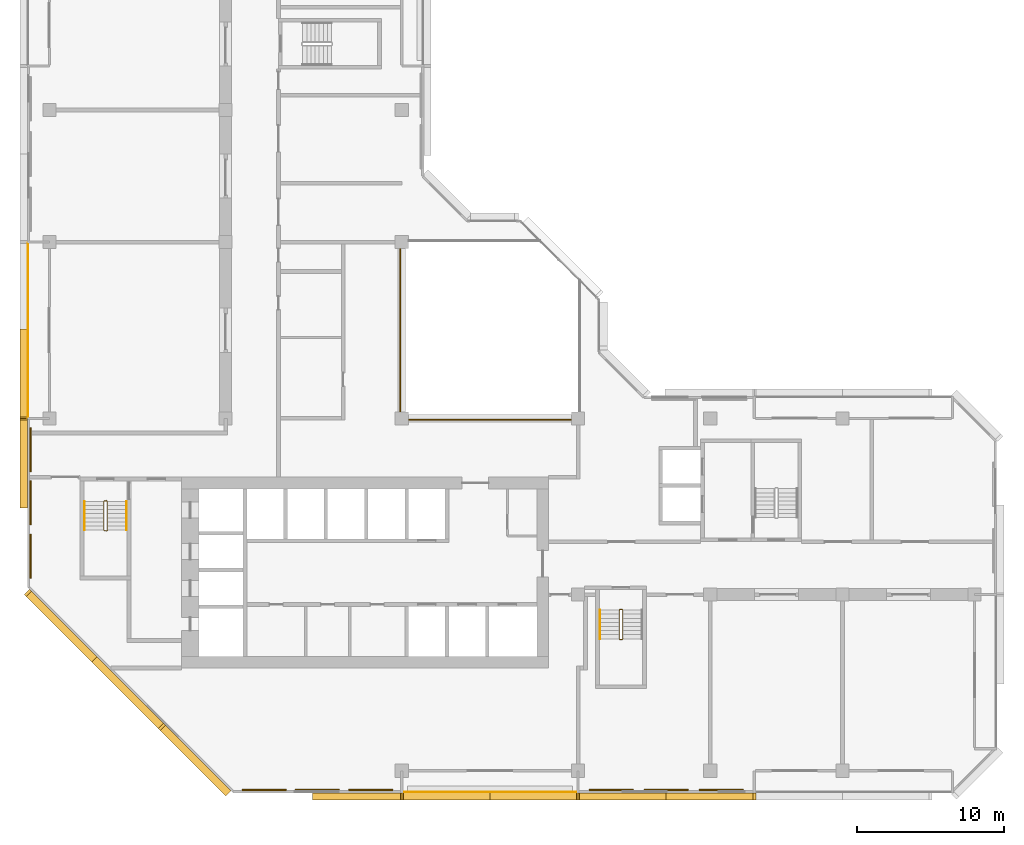
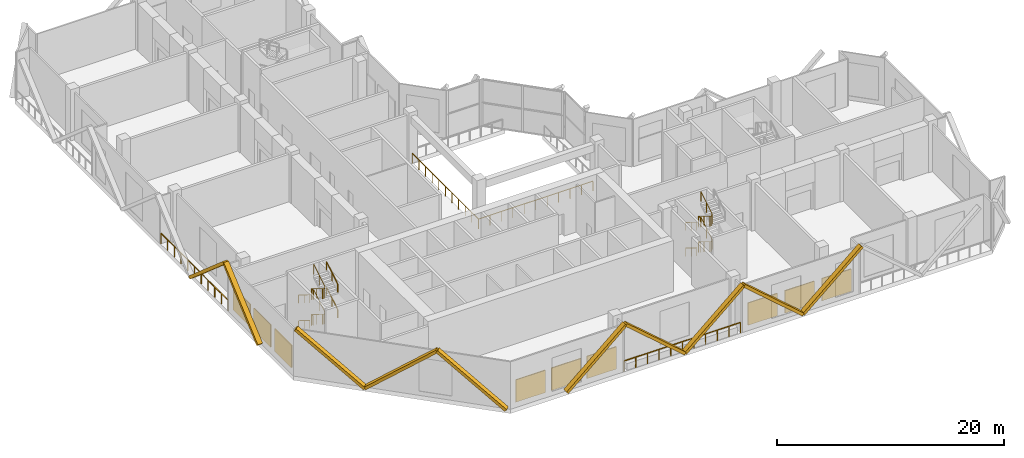
# One storey, part 9 of 11: 11 railings, 10 coverings, 9 shading devices.
"""IFC4 building model written with IfcOpenShell, lengths in metres."""

import ifcopenshell
import ifcopenshell.guid

model = None  # the IFC model being written
_history = None  # IfcOwnerHistory: only IFC2X3 demands one
_inside = {}  # id of a spatial element -> (the spatial element, [elements in it])
_under = {}  # id of a project, library or spatial element -> (it, [spatial elements below it])
_declared = {}  # id of a project -> (the project, [libraries it declares])
_typed = {}  # id of a type object -> (the type object, [elements of that type])
_made_of = {}  # id of a material, layer set ... -> (it, [elements and type objects made of it])


def new_model(schema):
    """Start an empty IFC model of exactly this schema.

    Asked for "IFC4X3", IfcOpenShell would pick the latest addendum, in which some entities
    have other attributes; the version numbers below select the first issue.
    IFC2X3 requires an IfcOwnerHistory on every rooted entity: one is made here for all.
    """
    global model, _history
    if schema == "IFC4X3":
        model = ifcopenshell.file(schema_version=(4, 3, 0, 0))
    else:
        model = ifcopenshell.file(schema=schema)
    _inside.clear()
    _under.clear()
    _declared.clear()
    _typed.clear()
    _made_of.clear()
    _history = None
    if model.schema == "IFC2X3":
        org = make("IfcOrganization", Name="unknown")
        user = make(
            "IfcPersonAndOrganization",
            ThePerson=make("IfcPerson", FamilyName="unknown"),
            TheOrganization=org,
        )
        app = make(
            "IfcApplication",
            ApplicationDeveloper=org,
            Version="unknown",
            ApplicationFullName="unknown",
            ApplicationIdentifier="unknown",
        )
        _history = make(
            "IfcOwnerHistory",
            OwningUser=user,
            OwningApplication=app,
            ChangeAction="ADDED",
            CreationDate=0,
        )
    return model


def make(cls, **values):
    """One entity of the class cls with the attributes given. An attribute that is None is left unset."""
    return model.create_entity(
        cls, **{name: value for name, value in values.items() if value is not None}
    )


def rooted(cls, **values):
    """An entity with a GlobalId (a new one), such as an element, a storey or a relation."""
    return make(cls, GlobalId=ifcopenshell.guid.new(), OwnerHistory=_history, **values)


def si_unit(unit_type, name, prefix=None):
    """IfcSIUnit, for example si_unit("LENGTHUNIT", "METRE", prefix="MILLI")."""
    return make("IfcSIUnit", UnitType=unit_type, Prefix=prefix, Name=name)


def assignment(units):
    """IfcUnitAssignment: the units of a project."""
    return None if units is None else make("IfcUnitAssignment", Units=units)


def point(xyz):
    """IfcCartesianPoint."""
    return None if xyz is None else make("IfcCartesianPoint", Coordinates=xyz)


def direction(xyz):
    """IfcDirection."""
    return None if xyz is None else make("IfcDirection", DirectionRatios=xyz)


def frame(location, z_axis=None, x_axis=None):
    """IfcAxis2Placement3D, a coordinate frame: its origin and axes. An axis left out is left unset."""
    return make(
        "IfcAxis2Placement3D",
        Location=point(location),
        Axis=direction(z_axis),
        RefDirection=direction(x_axis),
    )


def frame_2d(location, x_axis=None):
    """IfcAxis2Placement2D, a coordinate frame in the plane: its origin and x axis."""
    return make(
        "IfcAxis2Placement2D", Location=point(location), RefDirection=direction(x_axis)
    )


def origin():
    """The frame at (0, 0, 0) with its axes left unset."""
    return frame((0.0, 0.0, 0.0))


def origin_2d():
    """The frame at (0, 0) in the plane with its x axis left unset."""
    return frame_2d((0.0, 0.0))


def place(relative_to, where):
    """IfcLocalPlacement: puts the frame where relative to a parent placement (None: the world)."""
    return make(
        "IfcLocalPlacement", PlacementRelTo=relative_to, RelativePlacement=where
    )


def context(
    kind, dimensions, precision=None, world=None, true_north=None, identifier=None
):
    """IfcGeometricRepresentationContext, for example the 3D "Model" context."""
    return make(
        "IfcGeometricRepresentationContext",
        ContextIdentifier=identifier,
        ContextType=kind,
        CoordinateSpaceDimension=dimensions,
        Precision=precision,
        WorldCoordinateSystem=world,
        TrueNorth=true_north,
    )


def subcontext(parent, identifier, kind, view, scale=None):
    """IfcGeometricRepresentationSubContext, for example "Body" below "Model"."""
    return make(
        "IfcGeometricRepresentationSubContext",
        ContextIdentifier=identifier,
        ContextType=kind,
        ParentContext=parent,
        TargetScale=scale,
        TargetView=view,
    )


def project(units=None, contexts=None):
    """IfcProject with its units and contexts."""
    return rooted(
        "IfcProject",
        Name="project",
        RepresentationContexts=contexts,
        UnitsInContext=assignment(units),
    )


def spatial(cls, under=None, at=None, **own):
    """A site, building, storey or space (cls), placed at a placement, below another one or the project."""
    s = rooted(cls, ObjectPlacement=at, **own)
    if under is not None:
        _under.setdefault(under.id(), (under, []))[1].append(s)
    return s


def profile(cls, at=None, kind="AREA", **sizes):
    """A parametric profile (cls). Its sizes go by their IFC names, for example OverallWidth=200.0."""
    return make(cls, ProfileType=kind, Position=at, **sizes)


def rectangle(**sizes):
    """IfcRectangleProfileDef."""
    return profile("IfcRectangleProfileDef", **sizes)


def extrude(swept, where, along, depth):
    """IfcExtrudedAreaSolid: the profile swept, set in the frame where, extruded along a direction by depth."""
    return make(
        "IfcExtrudedAreaSolid",
        SweptArea=swept,
        Position=where,
        ExtrudedDirection=direction(along),
        Depth=depth,
    )


def shape(context_of_items, identifier, shape_type, items):
    """IfcShapeRepresentation: the items that make up one representation, for example the "Body"."""
    return make(
        "IfcShapeRepresentation",
        ContextOfItems=context_of_items,
        RepresentationIdentifier=identifier,
        RepresentationType=shape_type,
        Items=items,
    )


def material(Name=None, Category=None):
    """IfcMaterial."""
    return make("IfcMaterial", Name=Name, Category=Category)


def material_profile(
    of_material, cross_section, Name=None, Category=None, Priority=None
):
    """IfcMaterialProfile: a cross section and its material."""
    return make(
        "IfcMaterialProfile",
        Name=Name,
        Material=of_material,
        Profile=cross_section,
        Priority=Priority,
        Category=Category,
    )


def profile_set(profiles, Name=None, composite=None):
    """IfcMaterialProfileSet."""
    return make(
        "IfcMaterialProfileSet",
        Name=Name,
        MaterialProfiles=profiles,
        CompositeProfile=composite,
    )


def made_of(thing, what):
    """Note that an element or type object is made of a material, layer set ...; save() writes the relation."""
    if what is not None:
        _made_of.setdefault(what.id(), (what, []))[1].append(thing)
    return thing


def type_object(cls, material=None, **own):
    """A type object (cls), such as IfcWallType, which elements share."""
    return made_of(rooted(cls, **own), material)


def element(
    cls,
    number,
    at=None,
    inside=None,
    cuts=None,
    type_object=None,
    material=None,
    context=None,
    identifier="Body",
    shape_type=None,
    held_by="IfcProductDefinitionShape",
    body=None,
    shapes=None,
    **own,
):
    """One element of the class cls, such as IfcWall. Its Tag is "e" and its number.

    at: its placement. inside: the storey or other place that contains it. cuts: it is an
    opening in that element (IfcRelVoidsElement). A single representation is given by context,
    identifier, shape_type and body (its items); several are given by shapes. held_by: the class
    of the entity that holds the representations. save() writes the other relations.
    """
    e = rooted(cls, Tag="e%d" % number, ObjectPlacement=at, **own)
    if body is not None:
        shapes = [shape(context, identifier, shape_type, body)]
    if shapes is not None:
        e.Representation = make(held_by, Representations=shapes)
    if inside is not None:
        _inside.setdefault(inside.id(), (inside, []))[1].append(e)
    if cuts is not None:
        rooted(
            "IfcRelVoidsElement", RelatingBuildingElement=cuts, RelatedOpeningElement=e
        )
    if type_object is not None:
        _typed.setdefault(type_object.id(), (type_object, []))[1].append(e)
    return made_of(e, material)


def aggregate(whole, parts):
    """IfcRelAggregates: a whole, such as a stair, and the parts it consists of."""
    return rooted("IfcRelAggregates", RelatingObject=whole, RelatedObjects=parts)


def save(model, path):
    """Write the relations noted so far, then the file.

    IfcRelAggregates (storeys below a building ...), IfcRelContainedInSpatialStructure (elements
    in a storey), IfcRelDefinesByType, IfcRelAssociatesMaterial and IfcRelDeclares: one each for
    every whole, place, type object, material and project.
    """
    for whole, parts in _under.values():
        aggregate(whole, parts)
    for where, things in _inside.values():
        rooted(
            "IfcRelContainedInSpatialStructure",
            RelatedElements=things,
            RelatingStructure=where,
        )
    for kind, things in _typed.values():
        rooted("IfcRelDefinesByType", RelatedObjects=things, RelatingType=kind)
    for what, things in _made_of.values():
        rooted("IfcRelAssociatesMaterial", RelatedObjects=things, RelatingMaterial=what)
    for by, libraries in _declared.values():
        rooted("IfcRelDeclares", RelatingContext=by, RelatedDefinitions=libraries)
    model.write(path)


model = new_model("IFC4")

# Units and contexts
model_context = context("Model", 3, precision=1e-05, world=origin(), true_north=direction((0.0, 1.0)))
body_context = subcontext(model_context, "Body", "Model", "MODEL_VIEW")
ifc_project = project(units=[si_unit("LENGTHUNIT", "METRE"), si_unit("AREAUNIT", "SQUARE_METRE"), si_unit("VOLUMEUNIT", "CUBIC_METRE"), si_unit("PLANEANGLEUNIT", "RADIAN"), si_unit("MASSUNIT", "GRAM", prefix="KILO")], contexts=[model_context])

# Site, building, storey
site_placement = place(None, origin())
site = spatial("IfcSite", under=ifc_project, at=site_placement, CompositionType="ELEMENT")
building_placement = place(site_placement, origin())
building = spatial("IfcBuilding", under=site, at=building_placement, Name="Chenar Terraces", CompositionType="ELEMENT")
storey_placement = place(building_placement, frame((0.0, 0.0, 206.14990234375)))
storey = spatial("IfcBuildingStorey", under=building, at=storey_placement, Name="L48", CompositionType="ELEMENT", Elevation=206.14990234375)

# Railings
ifc_material_1 = material(Name="Powder-coated steel", Category="steel")
railing_type_1 = type_object("IfcRailingType", Name="Guard 1100 steel rail with glass infill", PredefinedType="GUARDRAIL", material=ifc_material_1)
railing_1_placement = place(storey_placement, frame((23.89990234375, 35.550048828125, 0.0)))
element("IfcRailing", 1, at=railing_1_placement, inside=storey, type_object=railing_type_1, Name="Guard L48-1", PredefinedType="GUARDRAIL", context=body_context, shape_type="SweptSolid", body=[
    extrude(rectangle(XDim=0.06005859375, YDim=0.06005859375, at=origin_2d()), frame((0.0, 0.0, 1.070068359375), z_axis=(0.0, -1.0, 0.0), x_axis=(1.0, 0.0, 0.0)), (0.0, 0.0, 1.0), 11.650146484375),
    extrude(rectangle(XDim=0.06005859375, YDim=0.06005859375, at=origin_2d()), frame((0.0, -11.650146484375, 1.070068359375), z_axis=(1.0, 0.0, 0.0), x_axis=(0.0, 1.0, 0.0)), (0.0, 0.0, 1.0), 11.650146484375),
    extrude(rectangle(XDim=0.050048828125, YDim=0.050048828125, at=origin_2d()), origin(), (0.0, 0.0, 1.0), 1.0400390625),
    extrude(rectangle(XDim=0.050048828125, YDim=0.050048828125, at=origin_2d()), frame((0.0, -1.1650390625, 0.0)), (0.0, 0.0, 1.0), 1.0400390625),
    extrude(rectangle(XDim=0.050048828125, YDim=0.050048828125, at=origin_2d()), frame((0.0, -2.330078125, 0.0)), (0.0, 0.0, 1.0), 1.0400390625),
    extrude(rectangle(XDim=0.050048828125, YDim=0.050048828125, at=origin_2d()), frame((0.0, -3.4951171875, 0.0)), (0.0, 0.0, 1.0), 1.0400390625),
    extrude(rectangle(XDim=0.050048828125, YDim=0.050048828125, at=origin_2d()), frame((0.0, -4.66015625, 0.0)), (0.0, 0.0, 1.0), 1.0400390625),
    extrude(rectangle(XDim=0.050048828125, YDim=0.050048828125, at=origin_2d()), frame((0.0, -5.8251953125, 0.0)), (0.0, 0.0, 1.0), 1.0400390625),
    extrude(rectangle(XDim=0.050048828125, YDim=0.050048828125, at=origin_2d()), frame((0.0, -6.989990234375, 0.0)), (0.0, 0.0, 1.0), 1.0400390625),
    extrude(rectangle(XDim=0.050048828125, YDim=0.050048828125, at=origin_2d()), frame((0.0, -8.155029296875, 0.0)), (0.0, 0.0, 1.0), 1.0400390625),
    extrude(rectangle(XDim=0.050048828125, YDim=0.050048828125, at=origin_2d()), frame((0.0, -9.320068359375, 0.0)), (0.0, 0.0, 1.0), 1.0400390625),
    extrude(rectangle(XDim=0.050048828125, YDim=0.050048828125, at=origin_2d()), frame((0.0, -10.485107421875, 0.0)), (0.0, 0.0, 1.0), 1.0400390625),
    extrude(rectangle(XDim=0.050048828125, YDim=0.050048828125, at=origin_2d()), frame((0.0, -11.650146484375, 0.0)), (0.0, 0.0, 1.0), 1.0400390625),
    extrude(rectangle(XDim=0.050048828125, YDim=0.050048828125, at=origin_2d()), frame((1.1650390625, -11.650146484375, 0.0)), (0.0, 0.0, 1.0), 1.0400390625),
    extrude(rectangle(XDim=0.050048828125, YDim=0.050048828125, at=origin_2d()), frame((2.330078125, -11.650146484375, 0.0)), (0.0, 0.0, 1.0), 1.0400390625),
    extrude(rectangle(XDim=0.050048828125, YDim=0.050048828125, at=origin_2d()), frame((3.4951171875, -11.650146484375, 0.0)), (0.0, 0.0, 1.0), 1.0400390625),
    extrude(rectangle(XDim=0.050048828125, YDim=0.050048828125, at=origin_2d()), frame((4.66015625, -11.650146484375, 0.0)), (0.0, 0.0, 1.0), 1.0400390625),
    extrude(rectangle(XDim=0.050048828125, YDim=0.050048828125, at=origin_2d()), frame((5.8251953125, -11.650146484375, 0.0)), (0.0, 0.0, 1.0), 1.0400390625),
    extrude(rectangle(XDim=0.050048828125, YDim=0.050048828125, at=origin_2d()), frame((6.989990234375, -11.650146484375, 0.0)), (0.0, 0.0, 1.0), 1.0400390625),
    extrude(rectangle(XDim=0.050048828125, YDim=0.050048828125, at=origin_2d()), frame((8.155029296875, -11.650146484375, 0.0)), (0.0, 0.0, 1.0), 1.0400390625),
    extrude(rectangle(XDim=0.050048828125, YDim=0.050048828125, at=origin_2d()), frame((9.320068359375, -11.650146484375, 0.0)), (0.0, 0.0, 1.0), 1.0400390625),
    extrude(rectangle(XDim=0.050048828125, YDim=0.050048828125, at=origin_2d()), frame((10.485107421875, -11.650146484375, 0.0)), (0.0, 0.0, 1.0), 1.0400390625),
    extrude(rectangle(XDim=0.050048828125, YDim=0.050048828125, at=origin_2d()), frame((11.650146484375, -11.650146484375, 0.0)), (0.0, 0.0, 1.0), 1.0400390625),
])
ifc_material_2 = material(Name="Stainless steel and glass", Category="steel")
railing_type_2 = type_object("IfcRailingType", Name="Loggia guard 1150", PredefinedType="GUARDRAIL", material=ifc_material_2)
railing_2_placement = place(storey_placement, frame((24.074951171875, -1.449951171875, 0.0)))
element("IfcRailing", 2, at=railing_2_placement, inside=storey, type_object=railing_type_2, Name="Loggia guard", PredefinedType="GUARDRAIL", context=body_context, shape_type="SweptSolid", body=[
    extrude(rectangle(XDim=0.048095703125, YDim=0.048095703125, at=origin_2d()), frame((0.0, 0.0, 1.1259765625), z_axis=(1.0, 0.0, 0.0), x_axis=(0.0, 1.0, 0.0)), (0.0, 0.0, 1.0), 11.85009765625),
    extrude(rectangle(XDim=0.0419921875, YDim=0.0419921875, at=origin_2d()), origin(), (0.0, 0.0, 1.0), 1.101806640625),
    extrude(rectangle(XDim=0.0419921875, YDim=0.0419921875, at=origin_2d()), frame((1.18505859375, 0.0, 0.0)), (0.0, 0.0, 1.0), 1.101806640625),
    extrude(rectangle(XDim=0.0419921875, YDim=0.0419921875, at=origin_2d()), frame((2.3701171875, 0.0, 0.0)), (0.0, 0.0, 1.0), 1.101806640625),
    extrude(rectangle(XDim=0.0419921875, YDim=0.0419921875, at=origin_2d()), frame((3.554931640625, 0.0, 0.0)), (0.0, 0.0, 1.0), 1.101806640625),
    extrude(rectangle(XDim=0.0419921875, YDim=0.0419921875, at=origin_2d()), frame((4.739990234375, 0.0, 0.0)), (0.0, 0.0, 1.0), 1.101806640625),
    extrude(rectangle(XDim=0.0419921875, YDim=0.0419921875, at=origin_2d()), frame((5.925048828125, 0.0, 0.0)), (0.0, 0.0, 1.0), 1.101806640625),
    extrude(rectangle(XDim=0.0419921875, YDim=0.0419921875, at=origin_2d()), frame((7.110107421875, 0.0, 0.0)), (0.0, 0.0, 1.0), 1.101806640625),
    extrude(rectangle(XDim=0.0419921875, YDim=0.0419921875, at=origin_2d()), frame((8.295166015625, 0.0, 0.0)), (0.0, 0.0, 1.0), 1.101806640625),
    extrude(rectangle(XDim=0.0419921875, YDim=0.0419921875, at=origin_2d()), frame((9.47998046875, 0.0, 0.0)), (0.0, 0.0, 1.0), 1.101806640625),
    extrude(rectangle(XDim=0.0419921875, YDim=0.0419921875, at=origin_2d()), frame((10.6650390625, 0.0, 0.0)), (0.0, 0.0, 1.0), 1.101806640625),
    extrude(rectangle(XDim=0.0419921875, YDim=0.0419921875, at=origin_2d()), frame((11.85009765625, 0.0, 0.0)), (0.0, 0.0, 1.0), 1.101806640625),
])
railing_3_placement = place(storey_placement, frame((-1.449951171875, 35.925048828125, 0.0)))
element("IfcRailing", 3, at=railing_3_placement, inside=storey, type_object=railing_type_2, Name="Loggia guard", PredefinedType="GUARDRAIL", context=body_context, shape_type="SweptSolid", body=[
    extrude(rectangle(XDim=0.048095703125, YDim=0.048095703125, at=origin_2d()), frame((0.0, 0.0, 1.1259765625), z_axis=(0.0, -1.0, 0.0), x_axis=(1.0, 0.0, 0.0)), (0.0, 0.0, 1.0), 11.85009765625),
    extrude(rectangle(XDim=0.0419921875, YDim=0.0419921875, at=origin_2d()), origin(), (0.0, 0.0, 1.0), 1.101806640625),
    extrude(rectangle(XDim=0.0419921875, YDim=0.0419921875, at=origin_2d()), frame((0.0, -1.18505859375, 0.0)), (0.0, 0.0, 1.0), 1.101806640625),
    extrude(rectangle(XDim=0.0419921875, YDim=0.0419921875, at=origin_2d()), frame((0.0, -2.3701171875, 0.0)), (0.0, 0.0, 1.0), 1.101806640625),
    extrude(rectangle(XDim=0.0419921875, YDim=0.0419921875, at=origin_2d()), frame((0.0, -3.554931640625, 0.0)), (0.0, 0.0, 1.0), 1.101806640625),
    extrude(rectangle(XDim=0.0419921875, YDim=0.0419921875, at=origin_2d()), frame((0.0, -4.739990234375, 0.0)), (0.0, 0.0, 1.0), 1.101806640625),
    extrude(rectangle(XDim=0.0419921875, YDim=0.0419921875, at=origin_2d()), frame((0.0, -5.925048828125, 0.0)), (0.0, 0.0, 1.0), 1.101806640625),
    extrude(rectangle(XDim=0.0419921875, YDim=0.0419921875, at=origin_2d()), frame((0.0, -7.110107421875, 0.0)), (0.0, 0.0, 1.0), 1.101806640625),
    extrude(rectangle(XDim=0.0419921875, YDim=0.0419921875, at=origin_2d()), frame((0.0, -8.295166015625, 0.0)), (0.0, 0.0, 1.0), 1.101806640625),
    extrude(rectangle(XDim=0.0419921875, YDim=0.0419921875, at=origin_2d()), frame((0.0, -9.47998046875, 0.0)), (0.0, 0.0, 1.0), 1.101806640625),
    extrude(rectangle(XDim=0.0419921875, YDim=0.0419921875, at=origin_2d()), frame((0.0, -10.6650390625, 0.0)), (0.0, 0.0, 1.0), 1.101806640625),
    extrude(rectangle(XDim=0.0419921875, YDim=0.0419921875, at=origin_2d()), frame((0.0, -11.85009765625, 0.0)), (0.0, 0.0, 1.0), 1.101806640625),
])

# Shading devices
ifc_material_3 = material(Name="Powder-coated steel", Category="steel")
shading_device_type = type_object("IfcShadingDeviceType", Name="Sand-proof louvre bank 3000 x 2400", PredefinedType="USERDEFINED", material=ifc_material_3)
for number, where, z_axis, x_axis, name in (
    (4, (14.625, -1.300048828125, 0.4501953125), (0.0, 0.0, 1.0), (1.0, 0.0, 0.0), "Sand-proof louvre bank"),
    (5, (18.25, -1.300048828125, 0.4501953125), (0.0, 0.0, 1.0), (1.0, 0.0, 0.0), "Sand-proof louvre bank"),
    (6, (21.875, -1.300048828125, 0.4501953125), (0.0, 0.0, 1.0), (1.0, 0.0, 0.0), "Sand-proof louvre bank"),
    (7, (38.25, -1.300048828125, 0.4501953125), (0.0, 0.0, 1.0), (1.0, 0.0, 0.0), "Sand-proof louvre bank"),
    (8, (42.0, -1.300048828125, 0.4501953125), (0.0, 0.0, 1.0), (1.0, 0.0, 0.0), "Sand-proof louvre bank"),
    (9, (45.75, -1.300048828125, 0.4501953125), (0.0, 0.0, 1.0), (1.0, 0.0, 0.0), "Sand-proof louvre bank"),
    (10, (-1.300048828125, 21.875, 0.4501953125), (0.0, 0.0, 1.0), (0.0, -1.0, 0.0), "Sand-proof louvre bank"),
    (11, (-1.300048828125, 18.25, 0.4501953125), (0.0, 0.0, 1.0), (0.0, -1.0, 0.0), "Sand-proof louvre bank"),
    (12, (-1.300048828125, 14.625, 0.4501953125), (0.0, 0.0, 1.0), (0.0, -1.0, 0.0), "Sand-proof louvre bank"),
):
    element("IfcShadingDevice", number, at=place(storey_placement, frame(where, z_axis=z_axis, x_axis=x_axis)), inside=storey, type_object=shading_device_type, Name=name, ObjectType="LOUVRE", PredefinedType="USERDEFINED", context=body_context, shape_type="SweptSolid", body=[
        extrude(rectangle(XDim=3.0, YDim=0.10009765625, at=origin_2d()), origin(), (0.0, 0.0, 1.0), 2.39990234375),
    ])

# Railings
ifc_material_4 = material(Name="Powder-coated steel", Category="steel")
railing_type_3 = type_object("IfcRailingType", Name="Stair guard 1100", PredefinedType="GUARDRAIL", material=ifc_material_4)
railing_4_placement = place(storey_placement, frame((3.949951171875, 18.35009765625, 5.5)))
element("IfcRailing", 13, at=railing_4_placement, inside=storey, type_object=railing_type_3, Name="L48 ST1 stair guard 1", PredefinedType="GUARDRAIL", context=body_context, shape_type="SweptSolid", body=[
    extrude(rectangle(XDim=0.048095703125, YDim=0.048095703125, at=origin_2d()), frame((0.0, 0.0, 1.076171875), z_axis=(0.0, -0.852270028233, -0.523102092307), x_axis=(1.0, 0.0, 0.0)), (0.0, 0.0, 1.0), 2.300048828125),
    extrude(rectangle(XDim=0.048095703125, YDim=0.048095703125, at=origin_2d()), frame((0.0, -1.960205078125, -0.126953125), z_axis=(-0.26935076646, -0.268036860282, -0.924989949209), x_axis=(0.705375805398, -0.708833529934, 0.0)), (0.0, 0.0, 1.0), 0.185791015625),
    extrude(rectangle(XDim=0.048095703125, YDim=0.048095703125, at=origin_2d()), frame((-0.050048828125, -2.010009765625, -0.298828125), z_axis=(-1.0, 0.0, 0.0), x_axis=(0.0, -1.0, 0.0)), (0.0, 0.0, 1.0), 0.14990234375),
    extrude(rectangle(XDim=0.048095703125, YDim=0.048095703125, at=origin_2d()), frame((-0.199951171875, -2.010009765625, -0.298828125), z_axis=(-0.708833529934, 0.705375805398, 0.0), x_axis=(-0.705375805398, -0.708833529934, 0.0)), (0.0, 0.0, 1.0), 0.070556640625),
    extrude(rectangle(XDim=0.048095703125, YDim=0.048095703125, at=origin_2d()), frame((-0.25, -1.960205078125, -0.298828125), z_axis=(0.0, 0.852270028233, -0.523102092307), x_axis=(-1.0, 0.0, 0.0)), (0.0, 0.0, 1.0), 2.300048828125),
    extrude(rectangle(XDim=0.048095703125, YDim=0.048095703125, at=origin_2d()), frame((-0.25, 0.0, -1.501953125), z_axis=(0.745163704225, 0.185608541712, -0.640531438064), x_axis=(-0.241699205484, 0.970351222016, 0.0)), (0.0, 0.0, 1.0), 0.268310546875),
    extrude(rectangle(XDim=0.048095703125, YDim=0.048095703125, at=origin_2d()), frame((-0.050048828125, 0.0498046875, -1.673828125), z_axis=(-1.0, 0.0, 0.0), x_axis=(0.0, -1.0, 0.0)), (0.0, 0.0, 1.0), 0.14990234375),
    extrude(rectangle(XDim=0.048095703125, YDim=0.048095703125, at=origin_2d()), frame((-0.199951171875, 0.0498046875, -1.673828125), z_axis=(0.970351222016, -0.241699205484, 0.0), x_axis=(0.241699205484, 0.970351222016, 0.0)), (0.0, 0.0, 1.0), 0.2060546875),
    extrude(rectangle(XDim=0.048095703125, YDim=0.048095703125, at=origin_2d()), frame((0.0, 0.0, -1.673828125), z_axis=(0.0, -0.852270028233, -0.523102092307), x_axis=(1.0, 0.0, 0.0)), (0.0, 0.0, 1.0), 2.300048828125),
    extrude(rectangle(XDim=0.048095703125, YDim=0.048095703125, at=origin_2d()), frame((0.0, -1.960205078125, -2.876953125), z_axis=(-0.26935076646, -0.268036860282, -0.924989949209), x_axis=(0.705375805398, -0.708833529934, 0.0)), (0.0, 0.0, 1.0), 0.185791015625),
    extrude(rectangle(XDim=0.048095703125, YDim=0.048095703125, at=origin_2d()), frame((-0.050048828125, -2.010009765625, -3.048828125), z_axis=(-1.0, 0.0, 0.0), x_axis=(0.0, -1.0, 0.0)), (0.0, 0.0, 1.0), 0.14990234375),
    extrude(rectangle(XDim=0.048095703125, YDim=0.048095703125, at=origin_2d()), frame((-0.199951171875, -2.010009765625, -3.048828125), z_axis=(-0.708833529934, 0.705375805398, 0.0), x_axis=(-0.705375805398, -0.708833529934, 0.0)), (0.0, 0.0, 1.0), 0.070556640625),
    extrude(rectangle(XDim=0.048095703125, YDim=0.048095703125, at=origin_2d()), frame((-0.25, -1.960205078125, -3.048828125), z_axis=(0.0, 0.852270028233, -0.523102092307), x_axis=(-1.0, 0.0, 0.0)), (0.0, 0.0, 1.0), 2.300048828125),
    extrude(rectangle(XDim=0.048095703125, YDim=0.048095703125, at=origin_2d()), frame((-0.25, 0.0, -4.251953125), z_axis=(0.26935076646, 0.268036860282, -0.924989949209), x_axis=(-0.705375805398, 0.708833529934, 0.0)), (0.0, 0.0, 1.0), 0.185791015625),
    extrude(rectangle(XDim=0.048095703125, YDim=0.048095703125, at=origin_2d()), frame((-0.199951171875, 0.0498046875, -4.423828125), z_axis=(1.0, 0.0, 0.0), x_axis=(0.0, 1.0, 0.0)), (0.0, 0.0, 1.0), 0.14990234375),
    extrude(rectangle(XDim=0.0419921875, YDim=0.0419921875, at=origin_2d()), origin(), (0.0, 0.0, 1.0), 1.052001953125),
    extrude(rectangle(XDim=0.0419921875, YDim=0.0419921875, at=origin_2d()), frame((0.0, -0.97998046875, -0.6015625)), (0.0, 0.0, 1.0), 1.052001953125),
    extrude(rectangle(XDim=0.0419921875, YDim=0.0419921875, at=origin_2d()), frame((0.0, -1.960205078125, -1.203125)), (0.0, 0.0, 1.0), 1.052001953125),
    extrude(rectangle(XDim=0.0419921875, YDim=0.0419921875, at=origin_2d()), frame((-0.050048828125, -2.010009765625, -1.375)), (0.0, 0.0, 1.0), 1.052001953125),
    extrude(rectangle(XDim=0.0419921875, YDim=0.0419921875, at=origin_2d()), frame((-0.199951171875, -2.010009765625, -1.375)), (0.0, 0.0, 1.0), 1.052001953125),
    extrude(rectangle(XDim=0.0419921875, YDim=0.0419921875, at=origin_2d()), frame((-0.25, -1.960205078125, -1.375)), (0.0, 0.0, 1.0), 1.052001953125),
    extrude(rectangle(XDim=0.0419921875, YDim=0.0419921875, at=origin_2d()), frame((-0.25, -0.97998046875, -1.9765625)), (0.0, 0.0, 1.0), 1.052001953125),
    extrude(rectangle(XDim=0.0419921875, YDim=0.0419921875, at=origin_2d()), frame((-0.25, 0.0, -2.578125)), (0.0, 0.0, 1.0), 1.052001953125),
    extrude(rectangle(XDim=0.0419921875, YDim=0.0419921875, at=origin_2d()), frame((-0.050048828125, 0.0498046875, -2.75)), (0.0, 0.0, 1.0), 1.052001953125),
    extrude(rectangle(XDim=0.0419921875, YDim=0.0419921875, at=origin_2d()), frame((-0.199951171875, 0.0498046875, -2.75)), (0.0, 0.0, 1.0), 1.052001953125),
    extrude(rectangle(XDim=0.0419921875, YDim=0.0419921875, at=origin_2d()), frame((0.0, 0.0, -2.75)), (0.0, 0.0, 1.0), 1.052001953125),
    extrude(rectangle(XDim=0.0419921875, YDim=0.0419921875, at=origin_2d()), frame((0.0, -0.97998046875, -3.3515625)), (0.0, 0.0, 1.0), 1.052001953125),
    extrude(rectangle(XDim=0.0419921875, YDim=0.0419921875, at=origin_2d()), frame((0.0, -1.960205078125, -3.953125)), (0.0, 0.0, 1.0), 1.052001953125),
    extrude(rectangle(XDim=0.0419921875, YDim=0.0419921875, at=origin_2d()), frame((-0.050048828125, -2.010009765625, -4.125)), (0.0, 0.0, 1.0), 1.052001953125),
    extrude(rectangle(XDim=0.0419921875, YDim=0.0419921875, at=origin_2d()), frame((-0.199951171875, -2.010009765625, -4.125)), (0.0, 0.0, 1.0), 1.052001953125),
    extrude(rectangle(XDim=0.0419921875, YDim=0.0419921875, at=origin_2d()), frame((-0.25, -1.960205078125, -4.125)), (0.0, 0.0, 1.0), 1.052001953125),
    extrude(rectangle(XDim=0.0419921875, YDim=0.0419921875, at=origin_2d()), frame((-0.25, -0.97998046875, -4.7265625)), (0.0, 0.0, 1.0), 1.052001953125),
    extrude(rectangle(XDim=0.0419921875, YDim=0.0419921875, at=origin_2d()), frame((-0.25, 0.0, -5.328125)), (0.0, 0.0, 1.0), 1.052001953125),
    extrude(rectangle(XDim=0.0419921875, YDim=0.0419921875, at=origin_2d()), frame((-0.199951171875, 0.0498046875, -5.5)), (0.0, 0.0, 1.0), 1.052001953125),
    extrude(rectangle(XDim=0.0419921875, YDim=0.0419921875, at=origin_2d()), frame((-0.050048828125, 0.0498046875, -5.5)), (0.0, 0.0, 1.0), 1.052001953125),
])
railing_5_placement = place(storey_placement, frame((39.050048828125, 10.949951171875, 5.5)))
element("IfcRailing", 14, at=railing_5_placement, inside=storey, type_object=railing_type_3, Name="L48 ST2 stair guard 1", PredefinedType="GUARDRAIL", context=body_context, shape_type="SweptSolid", body=[
    extrude(rectangle(XDim=0.048095703125, YDim=0.048095703125, at=origin_2d()), frame((0.0, 0.0, 1.076171875), z_axis=(0.0, -0.852240978134, -0.523149419562), x_axis=(1.0, 0.0, 0.0)), (0.0, 0.0, 1.0), 2.2998046875),
    extrude(rectangle(XDim=0.048095703125, YDim=0.048095703125, at=origin_2d()), frame((0.0, -1.9599609375, -0.126953125), z_axis=(-0.269255725606, -0.269255725606, -0.92466356501), x_axis=(0.707106781187, -0.707106781187, 0.0)), (0.0, 0.0, 1.0), 0.185791015625),
    extrude(rectangle(XDim=0.048095703125, YDim=0.048095703125, at=origin_2d()), frame((-0.050048828125, -2.010009765625, -0.298828125), z_axis=(-1.0, 0.0, 0.0), x_axis=(0.0, -1.0, 0.0)), (0.0, 0.0, 1.0), 0.14990234375),
    extrude(rectangle(XDim=0.048095703125, YDim=0.048095703125, at=origin_2d()), frame((-0.199951171875, -2.010009765625, -0.298828125), z_axis=(-0.707106781187, 0.707106781187, 0.0), x_axis=(-0.707106781187, -0.707106781187, 0.0)), (0.0, 0.0, 1.0), 0.07080078125),
    extrude(rectangle(XDim=0.048095703125, YDim=0.048095703125, at=origin_2d()), frame((-0.25, -1.9599609375, -0.298828125), z_axis=(0.0, 0.852240978134, -0.523149419562), x_axis=(-1.0, 0.0, 0.0)), (0.0, 0.0, 1.0), 2.2998046875),
    extrude(rectangle(XDim=0.048095703125, YDim=0.048095703125, at=origin_2d()), frame((-0.25, 0.0, -1.501953125), z_axis=(0.745037588186, 0.186486819998, -0.640423030626), x_axis=(-0.242814311512, 0.970072785993, 0.0)), (0.0, 0.0, 1.0), 0.268310546875),
    extrude(rectangle(XDim=0.048095703125, YDim=0.048095703125, at=origin_2d()), frame((-0.050048828125, 0.050048828125, -1.673828125), z_axis=(-1.0, 0.0, 0.0), x_axis=(0.0, -1.0, 0.0)), (0.0, 0.0, 1.0), 0.14990234375),
    extrude(rectangle(XDim=0.048095703125, YDim=0.048095703125, at=origin_2d()), frame((-0.199951171875, 0.050048828125, -1.673828125), z_axis=(0.970072785993, -0.242814311512, 0.0), x_axis=(0.242814311512, 0.970072785993, 0.0)), (0.0, 0.0, 1.0), 0.2060546875),
    extrude(rectangle(XDim=0.048095703125, YDim=0.048095703125, at=origin_2d()), frame((0.0, 0.0, -1.673828125), z_axis=(0.0, -0.852240978134, -0.523149419562), x_axis=(1.0, 0.0, 0.0)), (0.0, 0.0, 1.0), 2.2998046875),
    extrude(rectangle(XDim=0.048095703125, YDim=0.048095703125, at=origin_2d()), frame((0.0, -1.9599609375, -2.876953125), z_axis=(-0.269255725606, -0.269255725606, -0.92466356501), x_axis=(0.707106781187, -0.707106781187, 0.0)), (0.0, 0.0, 1.0), 0.185791015625),
    extrude(rectangle(XDim=0.048095703125, YDim=0.048095703125, at=origin_2d()), frame((-0.050048828125, -2.010009765625, -3.048828125), z_axis=(-1.0, 0.0, 0.0), x_axis=(0.0, -1.0, 0.0)), (0.0, 0.0, 1.0), 0.14990234375),
    extrude(rectangle(XDim=0.048095703125, YDim=0.048095703125, at=origin_2d()), frame((-0.199951171875, -2.010009765625, -3.048828125), z_axis=(-0.707106781187, 0.707106781187, 0.0), x_axis=(-0.707106781187, -0.707106781187, 0.0)), (0.0, 0.0, 1.0), 0.07080078125),
    extrude(rectangle(XDim=0.048095703125, YDim=0.048095703125, at=origin_2d()), frame((-0.25, -1.9599609375, -3.048828125), z_axis=(0.0, 0.852240978134, -0.523149419562), x_axis=(-1.0, 0.0, 0.0)), (0.0, 0.0, 1.0), 2.2998046875),
    extrude(rectangle(XDim=0.048095703125, YDim=0.048095703125, at=origin_2d()), frame((-0.25, 0.0, -4.251953125), z_axis=(0.269255725606, 0.269255725606, -0.92466356501), x_axis=(-0.707106781187, 0.707106781187, 0.0)), (0.0, 0.0, 1.0), 0.185791015625),
    extrude(rectangle(XDim=0.048095703125, YDim=0.048095703125, at=origin_2d()), frame((-0.199951171875, 0.050048828125, -4.423828125), z_axis=(1.0, 0.0, 0.0), x_axis=(0.0, 1.0, 0.0)), (0.0, 0.0, 1.0), 0.14990234375),
    extrude(rectangle(XDim=0.0419921875, YDim=0.0419921875, at=origin_2d()), origin(), (0.0, 0.0, 1.0), 1.052001953125),
    extrude(rectangle(XDim=0.0419921875, YDim=0.0419921875, at=origin_2d()), frame((0.0, -0.97998046875, -0.6015625)), (0.0, 0.0, 1.0), 1.052001953125),
    extrude(rectangle(XDim=0.0419921875, YDim=0.0419921875, at=origin_2d()), frame((0.0, -1.9599609375, -1.203125)), (0.0, 0.0, 1.0), 1.052001953125),
    extrude(rectangle(XDim=0.0419921875, YDim=0.0419921875, at=origin_2d()), frame((-0.050048828125, -2.010009765625, -1.375)), (0.0, 0.0, 1.0), 1.052001953125),
    extrude(rectangle(XDim=0.0419921875, YDim=0.0419921875, at=origin_2d()), frame((-0.199951171875, -2.010009765625, -1.375)), (0.0, 0.0, 1.0), 1.052001953125),
    extrude(rectangle(XDim=0.0419921875, YDim=0.0419921875, at=origin_2d()), frame((-0.25, -1.9599609375, -1.375)), (0.0, 0.0, 1.0), 1.052001953125),
    extrude(rectangle(XDim=0.0419921875, YDim=0.0419921875, at=origin_2d()), frame((-0.25, -0.97998046875, -1.9765625)), (0.0, 0.0, 1.0), 1.052001953125),
    extrude(rectangle(XDim=0.0419921875, YDim=0.0419921875, at=origin_2d()), frame((-0.25, 0.0, -2.578125)), (0.0, 0.0, 1.0), 1.052001953125),
    extrude(rectangle(XDim=0.0419921875, YDim=0.0419921875, at=origin_2d()), frame((-0.050048828125, 0.050048828125, -2.75)), (0.0, 0.0, 1.0), 1.052001953125),
    extrude(rectangle(XDim=0.0419921875, YDim=0.0419921875, at=origin_2d()), frame((-0.199951171875, 0.050048828125, -2.75)), (0.0, 0.0, 1.0), 1.052001953125),
    extrude(rectangle(XDim=0.0419921875, YDim=0.0419921875, at=origin_2d()), frame((0.0, 0.0, -2.75)), (0.0, 0.0, 1.0), 1.052001953125),
    extrude(rectangle(XDim=0.0419921875, YDim=0.0419921875, at=origin_2d()), frame((0.0, -0.97998046875, -3.3515625)), (0.0, 0.0, 1.0), 1.052001953125),
    extrude(rectangle(XDim=0.0419921875, YDim=0.0419921875, at=origin_2d()), frame((0.0, -1.9599609375, -3.953125)), (0.0, 0.0, 1.0), 1.052001953125),
    extrude(rectangle(XDim=0.0419921875, YDim=0.0419921875, at=origin_2d()), frame((-0.050048828125, -2.010009765625, -4.125)), (0.0, 0.0, 1.0), 1.052001953125),
    extrude(rectangle(XDim=0.0419921875, YDim=0.0419921875, at=origin_2d()), frame((-0.199951171875, -2.010009765625, -4.125)), (0.0, 0.0, 1.0), 1.052001953125),
    extrude(rectangle(XDim=0.0419921875, YDim=0.0419921875, at=origin_2d()), frame((-0.25, -1.9599609375, -4.125)), (0.0, 0.0, 1.0), 1.052001953125),
    extrude(rectangle(XDim=0.0419921875, YDim=0.0419921875, at=origin_2d()), frame((-0.25, -0.97998046875, -4.7265625)), (0.0, 0.0, 1.0), 1.052001953125),
    extrude(rectangle(XDim=0.0419921875, YDim=0.0419921875, at=origin_2d()), frame((-0.25, 0.0, -5.328125)), (0.0, 0.0, 1.0), 1.052001953125),
    extrude(rectangle(XDim=0.0419921875, YDim=0.0419921875, at=origin_2d()), frame((-0.199951171875, 0.050048828125, -5.5)), (0.0, 0.0, 1.0), 1.052001953125),
    extrude(rectangle(XDim=0.0419921875, YDim=0.0419921875, at=origin_2d()), frame((-0.050048828125, 0.050048828125, -5.5)), (0.0, 0.0, 1.0), 1.052001953125),
])
ifc_material_5 = material(Name="Powder-coated steel", Category="steel")
railing_type_4 = type_object("IfcRailingType", Name="Stair handrail 900", PredefinedType="HANDRAIL", material=ifc_material_5)
railing_6_placement = place(storey_placement, frame((2.39990234375, 18.35009765625, 0.171875)))
element("IfcRailing", 15, at=railing_6_placement, inside=storey, type_object=railing_type_4, Name="L48 ST1 stair handrail 1", PredefinedType="HANDRAIL", context=body_context, shape_type="SweptSolid", body=[
    extrude(rectangle(XDim=0.048095703125, YDim=0.048095703125, at=origin_2d()), frame((0.0, 0.0, 0.8759765625), z_axis=(0.0, -0.852270028233, 0.523102092307), x_axis=(1.0, 0.0, 0.0)), (0.0, 0.0, 1.0), 2.300048828125),
    extrude(rectangle(XDim=0.0419921875, YDim=0.0419921875, at=origin_2d()), origin(), (0.0, 0.0, 1.0), 0.851806640625),
    extrude(rectangle(XDim=0.0419921875, YDim=0.0419921875, at=origin_2d()), frame((0.0, -0.97998046875, 0.6015625)), (0.0, 0.0, 1.0), 0.851806640625),
    extrude(rectangle(XDim=0.0419921875, YDim=0.0419921875, at=origin_2d()), frame((0.0, -1.960205078125, 1.203125)), (0.0, 0.0, 1.0), 0.851806640625),
])
railing_7_placement = place(storey_placement, frame((5.25, 16.389892578125, 1.546875)))
element("IfcRailing", 16, at=railing_7_placement, inside=storey, type_object=railing_type_4, Name="L48 ST1 stair handrail 2", PredefinedType="HANDRAIL", context=body_context, shape_type="SweptSolid", body=[
    extrude(rectangle(XDim=0.048095703125, YDim=0.048095703125, at=origin_2d()), frame((0.0, 0.0, 0.8759765625), z_axis=(0.0, 0.852270028233, 0.523102092307), x_axis=(-1.0, 0.0, 0.0)), (0.0, 0.0, 1.0), 2.300048828125),
    extrude(rectangle(XDim=0.0419921875, YDim=0.0419921875, at=origin_2d()), origin(), (0.0, 0.0, 1.0), 0.851806640625),
    extrude(rectangle(XDim=0.0419921875, YDim=0.0419921875, at=origin_2d()), frame((0.0, 0.97998046875, 0.6015625)), (0.0, 0.0, 1.0), 0.851806640625),
    extrude(rectangle(XDim=0.0419921875, YDim=0.0419921875, at=origin_2d()), frame((0.0, 1.960205078125, 1.203125)), (0.0, 0.0, 1.0), 0.851806640625),
])
railing_8_placement = place(storey_placement, frame((2.39990234375, 18.35009765625, 2.921875)))
element("IfcRailing", 17, at=railing_8_placement, inside=storey, type_object=railing_type_4, Name="L48 ST1 stair handrail 3", PredefinedType="HANDRAIL", context=body_context, shape_type="SweptSolid", body=[
    extrude(rectangle(XDim=0.048095703125, YDim=0.048095703125, at=origin_2d()), frame((0.0, 0.0, 0.8759765625), z_axis=(0.0, -0.852270028233, 0.523102092307), x_axis=(1.0, 0.0, 0.0)), (0.0, 0.0, 1.0), 2.300048828125),
    extrude(rectangle(XDim=0.0419921875, YDim=0.0419921875, at=origin_2d()), origin(), (0.0, 0.0, 1.0), 0.851806640625),
    extrude(rectangle(XDim=0.0419921875, YDim=0.0419921875, at=origin_2d()), frame((0.0, -0.97998046875, 0.6015625)), (0.0, 0.0, 1.0), 0.851806640625),
    extrude(rectangle(XDim=0.0419921875, YDim=0.0419921875, at=origin_2d()), frame((0.0, -1.960205078125, 1.203125)), (0.0, 0.0, 1.0), 0.851806640625),
])
railing_9_placement = place(storey_placement, frame((5.25, 16.389892578125, 4.296875)))
element("IfcRailing", 18, at=railing_9_placement, inside=storey, type_object=railing_type_4, Name="L48 ST1 stair handrail 4", PredefinedType="HANDRAIL", context=body_context, shape_type="SweptSolid", body=[
    extrude(rectangle(XDim=0.048095703125, YDim=0.048095703125, at=origin_2d()), frame((0.0, 0.0, 0.8759765625), z_axis=(0.0, 0.852270028233, 0.523102092307), x_axis=(-1.0, 0.0, 0.0)), (0.0, 0.0, 1.0), 2.300048828125),
    extrude(rectangle(XDim=0.0419921875, YDim=0.0419921875, at=origin_2d()), origin(), (0.0, 0.0, 1.0), 0.851806640625),
    extrude(rectangle(XDim=0.0419921875, YDim=0.0419921875, at=origin_2d()), frame((0.0, 0.97998046875, 0.6015625)), (0.0, 0.0, 1.0), 0.851806640625),
    extrude(rectangle(XDim=0.0419921875, YDim=0.0419921875, at=origin_2d()), frame((0.0, 1.960205078125, 1.203125)), (0.0, 0.0, 1.0), 0.851806640625),
])
for number, where, name in (
    (19, (37.5, 10.949951171875, 0.171875), "L48 ST2 stair handrail 1"),
    (20, (37.5, 10.949951171875, 2.921875), "L48 ST2 stair handrail 3"),
):
    element("IfcRailing", number, at=place(storey_placement, frame(where)), inside=storey, type_object=railing_type_4, Name=name, PredefinedType="HANDRAIL", context=body_context, shape_type="SweptSolid", body=[
        extrude(rectangle(XDim=0.048095703125, YDim=0.048095703125, at=origin_2d()), frame((0.0, 0.0, 0.8759765625), z_axis=(0.0, -0.852240978134, 0.523149419562), x_axis=(1.0, 0.0, 0.0)), (0.0, 0.0, 1.0), 2.2998046875),
        extrude(rectangle(XDim=0.0419921875, YDim=0.0419921875, at=origin_2d()), origin(), (0.0, 0.0, 1.0), 0.851806640625),
        extrude(rectangle(XDim=0.0419921875, YDim=0.0419921875, at=origin_2d()), frame((0.0, -0.97998046875, 0.6015625)), (0.0, 0.0, 1.0), 0.851806640625),
        extrude(rectangle(XDim=0.0419921875, YDim=0.0419921875, at=origin_2d()), frame((0.0, -1.9599609375, 1.203125)), (0.0, 0.0, 1.0), 0.851806640625),
    ])

# Coverings
ifc_material_6 = material(Name="Terracotta", Category="masonry")
ifc_material_profile = material_profile(ifc_material_6, rectangle(XDim=0.5, YDim=0.300048828125, at=origin_2d()), Name="Terracotta baguette 500 x 300")
ifc_profile_set = profile_set([ifc_material_profile], Name="Terracotta")
covering_type = type_object("IfcCoveringType", Name="Terracotta baguette 500 x 300", PredefinedType="CLADDING", material=ifc_profile_set)
for number, where, z_axis, x_axis, name in (
    (21, (-1.75, 30.0, 0.150146484375), (0.0, -0.755692126483, 0.654927026447), (1.0, 0.0, 0.0), "Terracotta baguette"),
    (22, (-1.75, 24.0, 5.35009765625), (0.0, -0.755692126483, -0.654927026447), (1.0, 0.0, 0.0), "Terracotta baguette"),
):
    element("IfcCovering", number, at=place(storey_placement, frame(where, z_axis=z_axis, x_axis=x_axis)), inside=storey, type_object=covering_type, Name=name, PredefinedType="CLADDING", context=body_context, shape_type="SweptSolid", body=[
        extrude(rectangle(XDim=0.5, YDim=0.300048828125, at=origin_2d()), origin(), (0.0, 0.0, 1.0), 7.939697265625),
    ])
covering_1_placement = place(storey_placement, frame((-1.464599609375, 12.111083984375, 5.35009765625), z_axis=(0.545330033879, -0.545330033879, -0.63657702464), x_axis=(0.707106781187, 0.707106781187, 0.0)))
element("IfcCovering", 23, at=covering_1_placement, inside=storey, type_object=covering_type, Name="Terracotta baguette", PredefinedType="CLADDING", context=body_context, shape_type="SweptSolid", body=[
    extrude(rectangle(XDim=0.5, YDim=0.300048828125, at=origin_2d()), origin(), (0.0, 0.0, 1.0), 8.168701171875),
])
covering_2_placement = place(storey_placement, frame((2.989990234375, 7.656494140625, 0.150146484375), z_axis=(0.555410212443, -0.555410212443, 0.618901439511), x_axis=(0.707106781187, 0.707106781187, 0.0)))
element("IfcCovering", 24, at=covering_2_placement, inside=storey, type_object=covering_type, Name="Terracotta baguette", PredefinedType="CLADDING", context=body_context, shape_type="SweptSolid", body=[
    extrude(rectangle(XDim=0.5, YDim=0.300048828125, at=origin_2d()), origin(), (0.0, 0.0, 1.0), 8.40185546875),
])
covering_3_placement = place(storey_placement, frame((7.656494140625, 2.989990234375, 5.35009765625), z_axis=(0.545330033879, -0.545330033879, -0.63657702464), x_axis=(0.707106781187, 0.707106781187, 0.0)))
element("IfcCovering", 25, at=covering_3_placement, inside=storey, type_object=covering_type, Name="Terracotta baguette", PredefinedType="CLADDING", context=body_context, shape_type="SweptSolid", body=[
    extrude(rectangle(XDim=0.5, YDim=0.300048828125, at=origin_2d()), origin(), (0.0, 0.0, 1.0), 8.168701171875),
])
for number, where, z_axis, x_axis, name in (
    (26, (18.0, -1.75, 0.150146484375), (0.755692126483, 0.0, 0.654927026447), (0.0, 1.0, 0.0), "Terracotta baguette"),
    (27, (24.0, -1.75, 5.35009765625), (0.755692126483, 0.0, -0.654927026447), (0.0, 1.0, 0.0), "Terracotta baguette"),
    (28, (30.0, -1.75, 0.150146484375), (0.755692126483, 0.0, 0.654927026447), (0.0, 1.0, 0.0), "Terracotta baguette"),
    (29, (36.0, -1.75, 5.35009765625), (0.755692126483, 0.0, -0.654927026447), (0.0, 1.0, 0.0), "Terracotta baguette"),
    (30, (42.0, -1.75, 0.150146484375), (0.755692126483, 0.0, 0.654927026447), (0.0, 1.0, 0.0), "Terracotta baguette"),
):
    element("IfcCovering", number, at=place(storey_placement, frame(where, z_axis=z_axis, x_axis=x_axis)), inside=storey, type_object=covering_type, Name=name, PredefinedType="CLADDING", context=body_context, shape_type="SweptSolid", body=[
        extrude(rectangle(XDim=0.5, YDim=0.300048828125, at=origin_2d()), origin(), (0.0, 0.0, 1.0), 7.939697265625),
    ])

save(model, "model.ifc")
